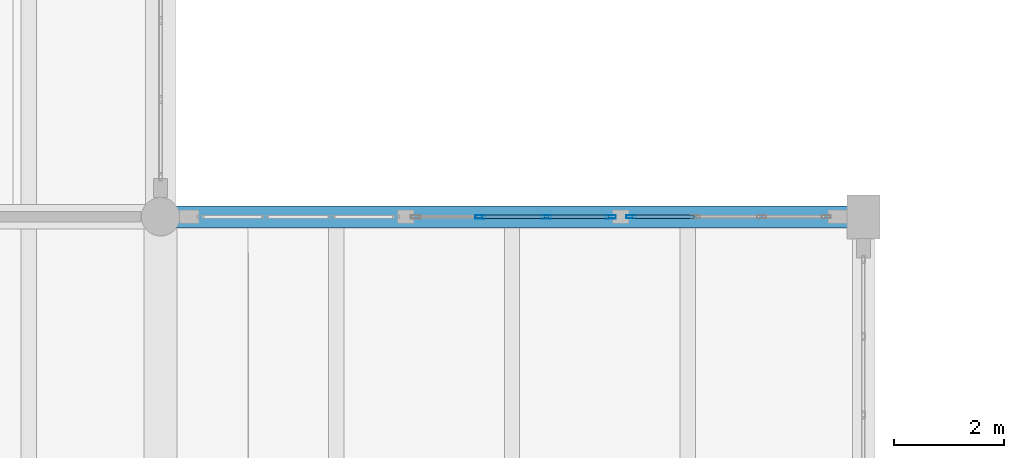
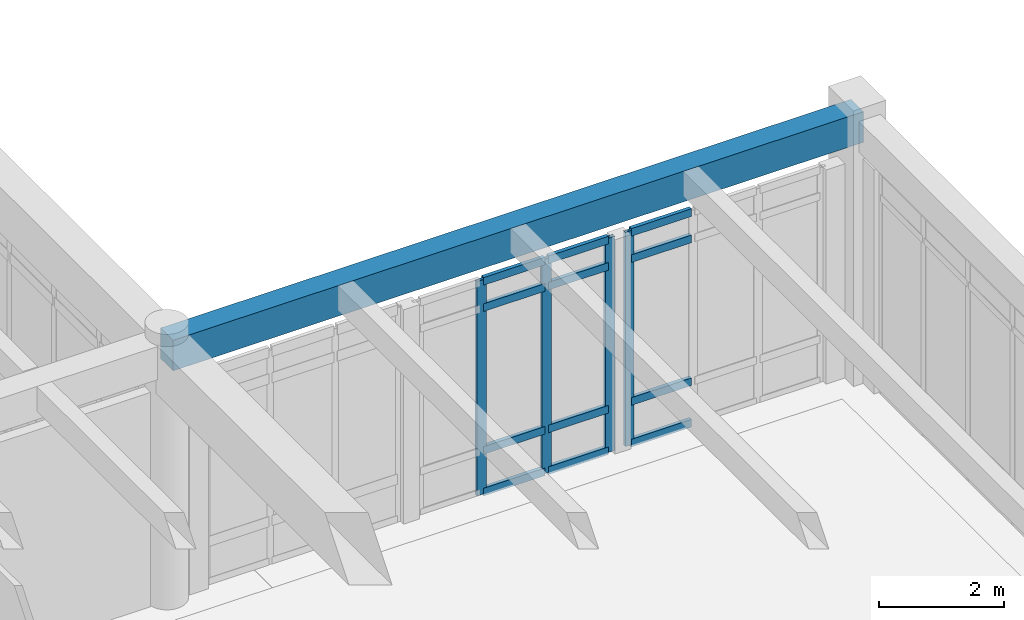
# One storey, part 73 of 138: 16 members, 1 beam, 2 elements without a shape of their own.
"""IFC4 building model written with IfcOpenShell, lengths in metres."""

import ifcopenshell
import ifcopenshell.guid

model = None  # the IFC model being written
_history = None  # IfcOwnerHistory: only IFC2X3 demands one
_inside = {}  # id of a spatial element -> (the spatial element, [elements in it])
_under = {}  # id of a project, library or spatial element -> (it, [spatial elements below it])
_declared = {}  # id of a project -> (the project, [libraries it declares])
_typed = {}  # id of a type object -> (the type object, [elements of that type])
_made_of = {}  # id of a material, layer set ... -> (it, [elements and type objects made of it])


def new_model(schema):
    """Start an empty IFC model of exactly this schema.

    Asked for "IFC4X3", IfcOpenShell would pick the latest addendum, in which some entities
    have other attributes; the version numbers below select the first issue.
    IFC2X3 requires an IfcOwnerHistory on every rooted entity: one is made here for all.
    """
    global model, _history
    if schema == "IFC4X3":
        model = ifcopenshell.file(schema_version=(4, 3, 0, 0))
    else:
        model = ifcopenshell.file(schema=schema)
    _inside.clear()
    _under.clear()
    _declared.clear()
    _typed.clear()
    _made_of.clear()
    _history = None
    if model.schema == "IFC2X3":
        org = make("IfcOrganization", Name="unknown")
        user = make(
            "IfcPersonAndOrganization",
            ThePerson=make("IfcPerson", FamilyName="unknown"),
            TheOrganization=org,
        )
        app = make(
            "IfcApplication",
            ApplicationDeveloper=org,
            Version="unknown",
            ApplicationFullName="unknown",
            ApplicationIdentifier="unknown",
        )
        _history = make(
            "IfcOwnerHistory",
            OwningUser=user,
            OwningApplication=app,
            ChangeAction="ADDED",
            CreationDate=0,
        )
    return model


def make(cls, **values):
    """One entity of the class cls with the attributes given. An attribute that is None is left unset."""
    return model.create_entity(
        cls, **{name: value for name, value in values.items() if value is not None}
    )


def rooted(cls, **values):
    """An entity with a GlobalId (a new one), such as an element, a storey or a relation."""
    return make(cls, GlobalId=ifcopenshell.guid.new(), OwnerHistory=_history, **values)


def si_unit(unit_type, name, prefix=None):
    """IfcSIUnit, for example si_unit("LENGTHUNIT", "METRE", prefix="MILLI")."""
    return make("IfcSIUnit", UnitType=unit_type, Prefix=prefix, Name=name)


def assignment(units):
    """IfcUnitAssignment: the units of a project."""
    return None if units is None else make("IfcUnitAssignment", Units=units)


def point(xyz):
    """IfcCartesianPoint."""
    return None if xyz is None else make("IfcCartesianPoint", Coordinates=xyz)


def direction(xyz):
    """IfcDirection."""
    return None if xyz is None else make("IfcDirection", DirectionRatios=xyz)


def frame(location, z_axis=None, x_axis=None):
    """IfcAxis2Placement3D, a coordinate frame: its origin and axes. An axis left out is left unset."""
    return make(
        "IfcAxis2Placement3D",
        Location=point(location),
        Axis=direction(z_axis),
        RefDirection=direction(x_axis),
    )


def frame_2d(location, x_axis=None):
    """IfcAxis2Placement2D, a coordinate frame in the plane: its origin and x axis."""
    return make(
        "IfcAxis2Placement2D", Location=point(location), RefDirection=direction(x_axis)
    )


def origin():
    """The frame at (0, 0, 0) with its axes left unset."""
    return frame((0.0, 0.0, 0.0))


def origin_2d():
    """The frame at (0, 0) in the plane with its x axis left unset."""
    return frame_2d((0.0, 0.0))


def place(relative_to, where):
    """IfcLocalPlacement: puts the frame where relative to a parent placement (None: the world)."""
    return make(
        "IfcLocalPlacement", PlacementRelTo=relative_to, RelativePlacement=where
    )


def context(
    kind, dimensions, precision=None, world=None, true_north=None, identifier=None
):
    """IfcGeometricRepresentationContext, for example the 3D "Model" context."""
    return make(
        "IfcGeometricRepresentationContext",
        ContextIdentifier=identifier,
        ContextType=kind,
        CoordinateSpaceDimension=dimensions,
        Precision=precision,
        WorldCoordinateSystem=world,
        TrueNorth=true_north,
    )


def subcontext(parent, identifier, kind, view, scale=None):
    """IfcGeometricRepresentationSubContext, for example "Body" below "Model"."""
    return make(
        "IfcGeometricRepresentationSubContext",
        ContextIdentifier=identifier,
        ContextType=kind,
        ParentContext=parent,
        TargetScale=scale,
        TargetView=view,
    )


def project(units=None, contexts=None):
    """IfcProject with its units and contexts."""
    return rooted(
        "IfcProject",
        Name="project",
        RepresentationContexts=contexts,
        UnitsInContext=assignment(units),
    )


def spatial(cls, under=None, at=None, **own):
    """A site, building, storey or space (cls), placed at a placement, below another one or the project."""
    s = rooted(cls, ObjectPlacement=at, **own)
    if under is not None:
        _under.setdefault(under.id(), (under, []))[1].append(s)
    return s


def profile(cls, at=None, kind="AREA", **sizes):
    """A parametric profile (cls). Its sizes go by their IFC names, for example OverallWidth=200.0."""
    return make(cls, ProfileType=kind, Position=at, **sizes)


def rectangle(**sizes):
    """IfcRectangleProfileDef."""
    return profile("IfcRectangleProfileDef", **sizes)


def hollow_rectangle(**sizes):
    """IfcRectangleHollowProfileDef."""
    return profile("IfcRectangleHollowProfileDef", **sizes)


def extrude(swept, where, along, depth):
    """IfcExtrudedAreaSolid: the profile swept, set in the frame where, extruded along a direction by depth."""
    return make(
        "IfcExtrudedAreaSolid",
        SweptArea=swept,
        Position=where,
        ExtrudedDirection=direction(along),
        Depth=depth,
    )


def shape(context_of_items, identifier, shape_type, items):
    """IfcShapeRepresentation: the items that make up one representation, for example the "Body"."""
    return make(
        "IfcShapeRepresentation",
        ContextOfItems=context_of_items,
        RepresentationIdentifier=identifier,
        RepresentationType=shape_type,
        Items=items,
    )


def material(Name=None, Category=None):
    """IfcMaterial."""
    return make("IfcMaterial", Name=Name, Category=Category)


def layer(
    of_material, thickness, ventilated=None, Name=None, Category=None, Priority=None
):
    """IfcMaterialLayer: one layer of a wall or slab, of a material (None: an air gap)."""
    return make(
        "IfcMaterialLayer",
        Material=of_material,
        LayerThickness=thickness,
        IsVentilated=ventilated,
        Name=Name,
        Category=Category,
        Priority=Priority,
    )


def layer_set(layers, Name=None):
    """IfcMaterialLayerSet."""
    return make("IfcMaterialLayerSet", MaterialLayers=layers, LayerSetName=Name)


def material_profile(
    of_material, cross_section, Name=None, Category=None, Priority=None
):
    """IfcMaterialProfile: a cross section and its material."""
    return make(
        "IfcMaterialProfile",
        Name=Name,
        Material=of_material,
        Profile=cross_section,
        Priority=Priority,
        Category=Category,
    )


def profile_set(profiles, Name=None, composite=None):
    """IfcMaterialProfileSet."""
    return make(
        "IfcMaterialProfileSet",
        Name=Name,
        MaterialProfiles=profiles,
        CompositeProfile=composite,
    )


def made_of(thing, what):
    """Note that an element or type object is made of a material, layer set ...; save() writes the relation."""
    if what is not None:
        _made_of.setdefault(what.id(), (what, []))[1].append(thing)
    return thing


def type_object(cls, material=None, **own):
    """A type object (cls), such as IfcWallType, which elements share."""
    return made_of(rooted(cls, **own), material)


def element(
    cls,
    number,
    at=None,
    inside=None,
    cuts=None,
    type_object=None,
    material=None,
    context=None,
    identifier="Body",
    shape_type=None,
    held_by="IfcProductDefinitionShape",
    body=None,
    shapes=None,
    **own,
):
    """One element of the class cls, such as IfcWall. Its Tag is "e" and its number.

    at: its placement. inside: the storey or other place that contains it. cuts: it is an
    opening in that element (IfcRelVoidsElement). A single representation is given by context,
    identifier, shape_type and body (its items); several are given by shapes. held_by: the class
    of the entity that holds the representations. save() writes the other relations.
    """
    e = rooted(cls, Tag="e%d" % number, ObjectPlacement=at, **own)
    if body is not None:
        shapes = [shape(context, identifier, shape_type, body)]
    if shapes is not None:
        e.Representation = make(held_by, Representations=shapes)
    if inside is not None:
        _inside.setdefault(inside.id(), (inside, []))[1].append(e)
    if cuts is not None:
        rooted(
            "IfcRelVoidsElement", RelatingBuildingElement=cuts, RelatedOpeningElement=e
        )
    if type_object is not None:
        _typed.setdefault(type_object.id(), (type_object, []))[1].append(e)
    return made_of(e, material)


def aggregate(whole, parts):
    """IfcRelAggregates: a whole, such as a stair, and the parts it consists of."""
    return rooted("IfcRelAggregates", RelatingObject=whole, RelatedObjects=parts)


def save(model, path):
    """Write the relations noted so far, then the file.

    IfcRelAggregates (storeys below a building ...), IfcRelContainedInSpatialStructure (elements
    in a storey), IfcRelDefinesByType, IfcRelAssociatesMaterial and IfcRelDeclares: one each for
    every whole, place, type object, material and project.
    """
    for whole, parts in _under.values():
        aggregate(whole, parts)
    for where, things in _inside.values():
        rooted(
            "IfcRelContainedInSpatialStructure",
            RelatedElements=things,
            RelatingStructure=where,
        )
    for kind, things in _typed.values():
        rooted("IfcRelDefinesByType", RelatedObjects=things, RelatingType=kind)
    for what, things in _made_of.values():
        rooted("IfcRelAssociatesMaterial", RelatedObjects=things, RelatingMaterial=what)
    for by, libraries in _declared.values():
        rooted("IfcRelDeclares", RelatingContext=by, RelatedDefinitions=libraries)
    model.write(path)


model = new_model("IFC4")

# Units and contexts
model_context = context("Model", 3, precision=1e-05, world=origin(), true_north=direction((0.0, 1.0)))
body_context = subcontext(model_context, "Body", "Model", "MODEL_VIEW")
ifc_project = project(units=[si_unit("LENGTHUNIT", "METRE"), si_unit("AREAUNIT", "SQUARE_METRE"), si_unit("VOLUMEUNIT", "CUBIC_METRE"), si_unit("PLANEANGLEUNIT", "RADIAN"), si_unit("MASSUNIT", "GRAM", prefix="KILO")], contexts=[model_context])

# Site, building, storey
site_placement = place(None, origin())
site = spatial("IfcSite", under=ifc_project, at=site_placement, CompositionType="ELEMENT")
building_placement = place(site_placement, origin())
building = spatial("IfcBuilding", under=site, at=building_placement, Name="Fikremerkos Civic Library", CompositionType="ELEMENT")
storey_placement = place(building_placement, origin())
storey = spatial("IfcBuildingStorey", under=building, at=storey_placement, Name="L00", CompositionType="ELEMENT", Elevation=0.0)

# Curtain wall, members
ifc_material_1 = material(Name="Anodized aluminium Frame", Category="aluminium")
ifc_layer_1 = layer(ifc_material_1, 0.159912109375, Name="Anodized aluminium Frame")
ifc_layer_set_1 = layer_set([ifc_layer_1], Name="Anodized aluminium Frame")
curtain_wall_type_1 = type_object("IfcCurtainWallType", Name="Unitised curtain wall CW-09 3600x3400", PredefinedType="USERDEFINED", material=ifc_layer_set_1)
curtain_wall_1_placement = place(storey_placement, origin())
curtain_wall_1 = element("IfcCurtainWall", 1, at=curtain_wall_1_placement, inside=storey, type_object=curtain_wall_type_1, Name="Unitised curtain wall CW-09 L00 #63", ObjectType="UNITISED CURTAIN WALL", PredefinedType="USERDEFINED")
ifc_material_profile_1 = material_profile(ifc_material_1, hollow_rectangle(XDim=0.06494140625, YDim=0.179931640625, WallThickness=0.00439453125, at=origin_2d()), Name="ALU 180x65x4.5")
ifc_profile_set_1 = profile_set([ifc_material_profile_1], Name="Anodized aluminium Frame")
member_type_1 = type_object("IfcMemberType", Name="Curtain mullion CWM-01 ALU 180x65x4.5", PredefinedType="MULLION", material=ifc_profile_set_1)
member_1_placement = place(storey_placement, frame((140.221923828125, 76.800048828125, 0.0), z_axis=(0.0, 0.0, 1.0), x_axis=(0.0, 1.0, 0.0)))
member_1 = element("IfcMember", 2, at=member_1_placement, type_object=member_type_1, Name="CW-09 mullion 2", PredefinedType="MULLION", context=body_context, shape_type="SweptSolid", body=[
    extrude(hollow_rectangle(XDim=0.06494140625, YDim=0.179931640625, WallThickness=0.00439453125, at=origin_2d()), origin(), (0.0, 0.0, 1.0), 4.199951171875),
])
member_2_placement = place(storey_placement, frame((141.427978515625, 76.800048828125, 0.0), z_axis=(0.0, 0.0, 1.0), x_axis=(0.0, 1.0, 0.0)))
member_2 = element("IfcMember", 3, at=member_2_placement, type_object=member_type_1, Name="CW-09 mullion 3", PredefinedType="MULLION", context=body_context, shape_type="SweptSolid", body=[
    extrude(hollow_rectangle(XDim=0.06494140625, YDim=0.179931640625, WallThickness=0.00439453125, at=origin_2d()), origin(), (0.0, 0.0, 1.0), 4.199951171875),
])
member_3_placement = place(storey_placement, frame((142.6015625, 76.800048828125, 0.0), z_axis=(0.0, 0.0, 1.0), x_axis=(0.0, 1.0, 0.0)))
member_3 = element("IfcMember", 4, at=member_3_placement, type_object=member_type_1, Name="CW-09 mullion 4", PredefinedType="MULLION", context=body_context, shape_type="SweptSolid", body=[
    extrude(hollow_rectangle(XDim=0.06494140625, YDim=0.179931640625, WallThickness=0.00439453125, at=origin_2d()), origin(), (0.0, 0.0, 1.0), 4.199951171875),
])

# Curtain wall, member
ifc_layer_2 = layer(ifc_material_1, 0.159912109375, Name="Anodized aluminium Frame")
ifc_layer_set_2 = layer_set([ifc_layer_2], Name="Anodized aluminium Frame")
curtain_wall_type_2 = type_object("IfcCurtainWallType", Name="Unitised curtain wall CW-10 4000x3400", PredefinedType="USERDEFINED", material=ifc_layer_set_2)
curtain_wall_2_placement = place(storey_placement, origin())
curtain_wall_2 = element("IfcCurtainWall", 5, at=curtain_wall_2_placement, inside=storey, type_object=curtain_wall_type_2, Name="Unitised curtain wall CW-10 L00 #64", ObjectType="UNITISED CURTAIN WALL", PredefinedType="USERDEFINED")
ifc_material_profile_2 = material_profile(ifc_material_1, hollow_rectangle(XDim=0.06005859375, YDim=0.159912109375, WallThickness=0.00390625, at=origin_2d()), Name="ALU 160x60x4")
ifc_profile_set_2 = profile_set([ifc_material_profile_2], Name="Anodized aluminium Frame")
member_type_2 = type_object("IfcMemberType", Name="Curtain mullion CWM-02 ALU 160x60x4", PredefinedType="MULLION", material=ifc_profile_set_2)
member_4_placement = place(storey_placement, frame((142.964111328125, 76.800048828125, 0.0), z_axis=(0.0, 0.0, 1.0), x_axis=(0.0, 1.0, 0.0)))
member_4 = element("IfcMember", 6, at=member_4_placement, type_object=member_type_2, Name="CW-10 mullion 1", PredefinedType="MULLION", context=body_context, shape_type="SweptSolid", body=[
    extrude(hollow_rectangle(XDim=0.06005859375, YDim=0.159912109375, WallThickness=0.00390625, at=origin_2d()), origin(), (0.0, 0.0, 1.0), 4.199951171875),
])

# Member
ifc_material_profile_3 = material_profile(ifc_material_1, hollow_rectangle(XDim=0.070068359375, YDim=0.14990234375, WallThickness=0.00439453125, at=origin_2d()), Name="ALU 150x70x4.5")
ifc_profile_set_3 = profile_set([ifc_material_profile_3], Name="Anodized aluminium Frame")
member_type_3 = type_object("IfcMemberType", Name="Curtain transom CWT-01 ALU 150x70x4.5", PredefinedType="USERDEFINED", material=ifc_profile_set_3)
member_5_placement = place(storey_placement, frame((140.25439453125, 76.800048828125, 0.034912109375), z_axis=(1.0, 0.0, 0.0), x_axis=(0.0, 1.0, 0.0)))
member_5 = element("IfcMember", 7, at=member_5_placement, type_object=member_type_3, Name="CW-09 transom 2.1", ObjectType="TRANSOM", PredefinedType="USERDEFINED", context=body_context, shape_type="SweptSolid", body=[
    extrude(hollow_rectangle(XDim=0.070068359375, YDim=0.14990234375, WallThickness=0.00439453125, at=origin_2d()), origin(), (0.0, 0.0, 1.0), 1.14111328125),
])

member_6_placement = place(storey_placement, frame((140.25439453125, 76.800048828125, 0.85009765625), z_axis=(1.0, 0.0, 0.0), x_axis=(0.0, 1.0, 0.0)))
member_6 = element("IfcMember", 8, at=member_6_placement, type_object=member_type_3, Name="CW-09 transom 2.2", ObjectType="TRANSOM", PredefinedType="USERDEFINED", context=body_context, shape_type="SweptSolid", body=[
    extrude(hollow_rectangle(XDim=0.070068359375, YDim=0.14990234375, WallThickness=0.00439453125, at=origin_2d()), origin(), (0.0, 0.0, 1.0), 1.14111328125),
])

member_7_placement = place(storey_placement, frame((140.25439453125, 76.800048828125, 3.64990234375), z_axis=(1.0, 0.0, 0.0), x_axis=(0.0, 1.0, 0.0)))
member_7 = element("IfcMember", 9, at=member_7_placement, type_object=member_type_3, Name="CW-09 transom 2.3", ObjectType="TRANSOM", PredefinedType="USERDEFINED", context=body_context, shape_type="SweptSolid", body=[
    extrude(hollow_rectangle(XDim=0.070068359375, YDim=0.14990234375, WallThickness=0.00439453125, at=origin_2d()), origin(), (0.0, 0.0, 1.0), 1.14111328125),
])

member_8_placement = place(storey_placement, frame((140.25439453125, 76.800048828125, 4.1650390625), z_axis=(1.0, 0.0, 0.0), x_axis=(0.0, 1.0, 0.0)))
member_8 = element("IfcMember", 10, at=member_8_placement, type_object=member_type_3, Name="CW-09 transom 2.4", ObjectType="TRANSOM", PredefinedType="USERDEFINED", context=body_context, shape_type="SweptSolid", body=[
    extrude(hollow_rectangle(XDim=0.070068359375, YDim=0.14990234375, WallThickness=0.00439453125, at=origin_2d()), origin(), (0.0, 0.0, 1.0), 1.14111328125),
])

member_9_placement = place(storey_placement, frame((141.46044921875, 76.800048828125, 0.034912109375), z_axis=(1.0, 0.0, 0.0), x_axis=(0.0, 1.0, 0.0)))
member_9 = element("IfcMember", 11, at=member_9_placement, type_object=member_type_3, Name="CW-09 transom 3.1", ObjectType="TRANSOM", PredefinedType="USERDEFINED", context=body_context, shape_type="SweptSolid", body=[
    extrude(hollow_rectangle(XDim=0.070068359375, YDim=0.14990234375, WallThickness=0.00439453125, at=origin_2d()), origin(), (0.0, 0.0, 1.0), 1.108642578125),
])

member_10_placement = place(storey_placement, frame((141.46044921875, 76.800048828125, 0.85009765625), z_axis=(1.0, 0.0, 0.0), x_axis=(0.0, 1.0, 0.0)))
member_10 = element("IfcMember", 12, at=member_10_placement, type_object=member_type_3, Name="CW-09 transom 3.2", ObjectType="TRANSOM", PredefinedType="USERDEFINED", context=body_context, shape_type="SweptSolid", body=[
    extrude(hollow_rectangle(XDim=0.070068359375, YDim=0.14990234375, WallThickness=0.00439453125, at=origin_2d()), origin(), (0.0, 0.0, 1.0), 1.108642578125),
])

member_11_placement = place(storey_placement, frame((141.46044921875, 76.800048828125, 3.64990234375), z_axis=(1.0, 0.0, 0.0), x_axis=(0.0, 1.0, 0.0)))
member_11 = element("IfcMember", 13, at=member_11_placement, type_object=member_type_3, Name="CW-09 transom 3.3", ObjectType="TRANSOM", PredefinedType="USERDEFINED", context=body_context, shape_type="SweptSolid", body=[
    extrude(hollow_rectangle(XDim=0.070068359375, YDim=0.14990234375, WallThickness=0.00439453125, at=origin_2d()), origin(), (0.0, 0.0, 1.0), 1.108642578125),
])

member_12_placement = place(storey_placement, frame((141.46044921875, 76.800048828125, 4.1650390625), z_axis=(1.0, 0.0, 0.0), x_axis=(0.0, 1.0, 0.0)))
member_12 = element("IfcMember", 14, at=member_12_placement, type_object=member_type_3, Name="CW-09 transom 3.4", ObjectType="TRANSOM", PredefinedType="USERDEFINED", context=body_context, shape_type="SweptSolid", body=[
    extrude(hollow_rectangle(XDim=0.070068359375, YDim=0.14990234375, WallThickness=0.00439453125, at=origin_2d()), origin(), (0.0, 0.0, 1.0), 1.108642578125),
])

aggregate(curtain_wall_1, [member_1, member_2, member_3, member_5, member_6, member_7, member_8, member_9, member_10, member_11, member_12])

member_13_placement = place(storey_placement, frame((142.993896484375, 76.800048828125, 0.034912109375), z_axis=(1.0, 0.0, 0.0), x_axis=(0.0, 1.0, 0.0)))
member_13 = element("IfcMember", 15, at=member_13_placement, type_object=member_type_3, Name="CW-10 transom 1.1", ObjectType="TRANSOM", PredefinedType="USERDEFINED", context=body_context, shape_type="SweptSolid", body=[
    extrude(hollow_rectangle(XDim=0.070068359375, YDim=0.14990234375, WallThickness=0.00439453125, at=origin_2d()), origin(), (0.0, 0.0, 1.0), 1.1162109375),
])

member_14_placement = place(storey_placement, frame((142.993896484375, 76.800048828125, 0.85009765625), z_axis=(1.0, 0.0, 0.0), x_axis=(0.0, 1.0, 0.0)))
member_14 = element("IfcMember", 16, at=member_14_placement, type_object=member_type_3, Name="CW-10 transom 1.2", ObjectType="TRANSOM", PredefinedType="USERDEFINED", context=body_context, shape_type="SweptSolid", body=[
    extrude(hollow_rectangle(XDim=0.070068359375, YDim=0.14990234375, WallThickness=0.00439453125, at=origin_2d()), origin(), (0.0, 0.0, 1.0), 1.1162109375),
])

member_15_placement = place(storey_placement, frame((142.993896484375, 76.800048828125, 3.64990234375), z_axis=(1.0, 0.0, 0.0), x_axis=(0.0, 1.0, 0.0)))
member_15 = element("IfcMember", 17, at=member_15_placement, type_object=member_type_3, Name="CW-10 transom 1.3", ObjectType="TRANSOM", PredefinedType="USERDEFINED", context=body_context, shape_type="SweptSolid", body=[
    extrude(hollow_rectangle(XDim=0.070068359375, YDim=0.14990234375, WallThickness=0.00439453125, at=origin_2d()), origin(), (0.0, 0.0, 1.0), 1.1162109375),
])

member_16_placement = place(storey_placement, frame((142.993896484375, 76.800048828125, 4.1650390625), z_axis=(1.0, 0.0, 0.0), x_axis=(0.0, 1.0, 0.0)))
member_16 = element("IfcMember", 18, at=member_16_placement, type_object=member_type_3, Name="CW-10 transom 1.4", ObjectType="TRANSOM", PredefinedType="USERDEFINED", context=body_context, shape_type="SweptSolid", body=[
    extrude(hollow_rectangle(XDim=0.070068359375, YDim=0.14990234375, WallThickness=0.00439453125, at=origin_2d()), origin(), (0.0, 0.0, 1.0), 1.1162109375),
])

aggregate(curtain_wall_2, [member_4, member_13, member_14, member_15, member_16])

# Beam
ifc_material_2 = material(Name="Concrete C40/50", Category="concrete")
ifc_material_profile_4 = material_profile(ifc_material_2, rectangle(XDim=0.39990234375, YDim=0.60009765625, at=origin_2d()), Name="RC 400x600")
ifc_profile_set_4 = profile_set([ifc_material_profile_4], Name="Concrete C40/50")
beam_type = type_object("IfcBeamType", Name="Primary girder BM-08 RC 400x600", PredefinedType="BEAM", material=ifc_profile_set_4)
beam_placement = place(storey_placement, frame((134.39990234375, 76.800048828125, 4.860107421875), z_axis=(1.0, 0.0, 0.0), x_axis=(0.0, 1.0, 0.0)))
element("IfcBeam", 19, at=beam_placement, inside=storey, type_object=beam_type, Name="Primary girder BM-08 L00 grid L", PredefinedType="BEAM", context=body_context, shape_type="SweptSolid", body=[
    extrude(rectangle(XDim=0.39990234375, YDim=0.60009765625, at=origin_2d()), origin(), (0.0, 0.0, 1.0), 12.800048828125),
])

save(model, "model.ifc")
